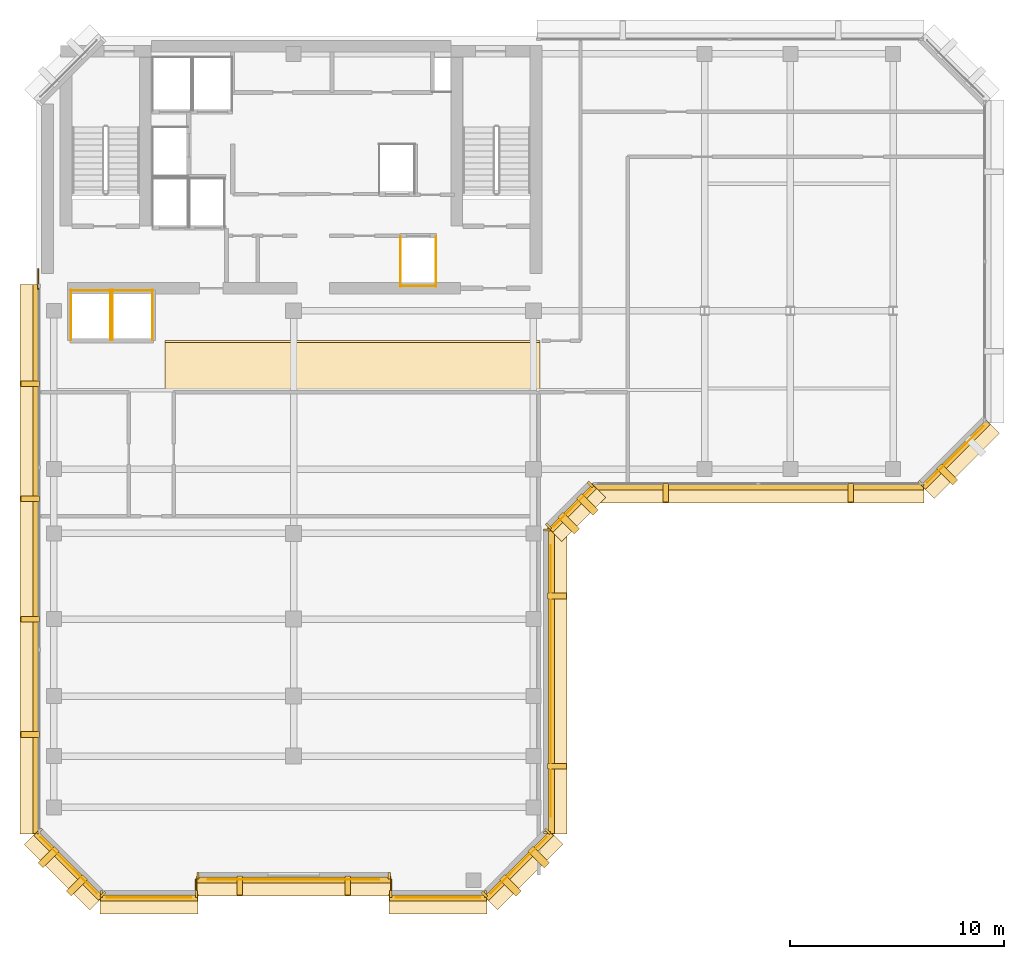
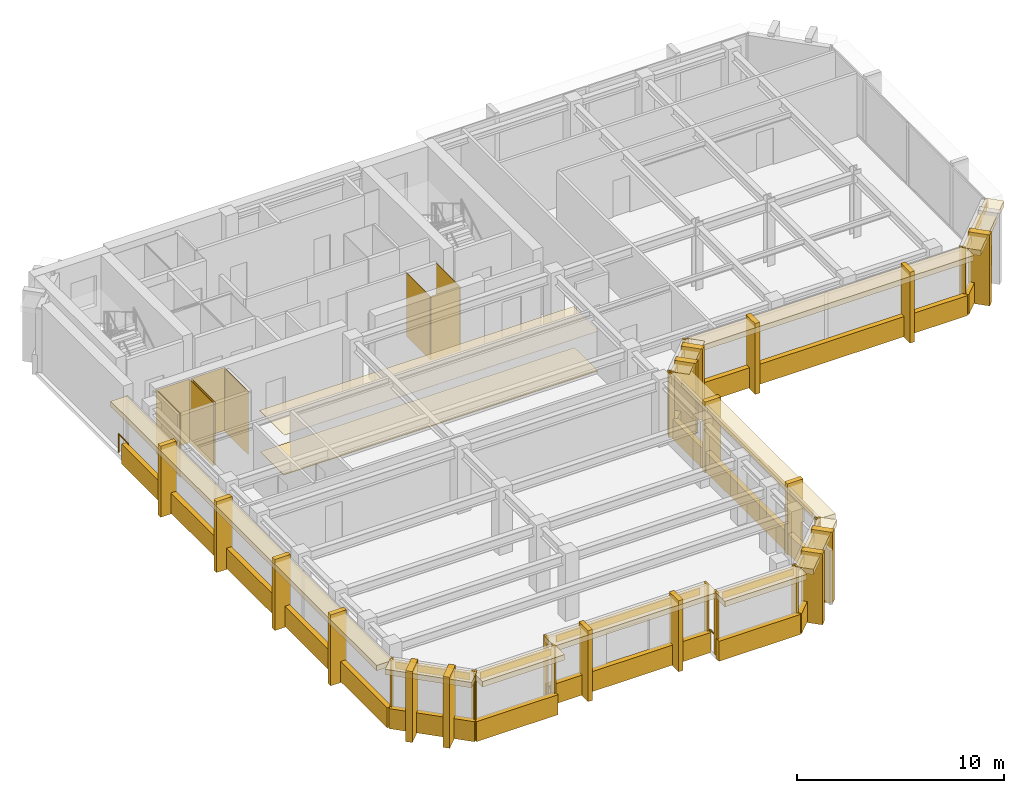
# One storey, part 9 of 12: 71 coverings, 3 railings.
"""IFC4 building model written with IfcOpenShell, lengths in metres."""

from ifc_helpers import new_model, si_unit, direction, frame, origin, origin_2d, place, context, subcontext, project, spatial, polyline, rectangle, circle, outline, extrude, material, layer, layer_set, type_object, element, save


model = new_model("IFC4")

# Units and contexts
model_context = context("Model", 3, precision=1e-05, world=origin(), true_north=direction((0.0, 1.0)))
body_context = subcontext(model_context, "Body", "Model", "MODEL_VIEW")
ifc_project = project(units=[si_unit("LENGTHUNIT", "METRE"), si_unit("AREAUNIT", "SQUARE_METRE"), si_unit("VOLUMEUNIT", "CUBIC_METRE"), si_unit("PLANEANGLEUNIT", "RADIAN"), si_unit("MASSUNIT", "GRAM", prefix="KILO")], contexts=[model_context])

# Site, building, storey
site_placement = place(None, origin())
site = spatial("IfcSite", under=ifc_project, at=site_placement, CompositionType="ELEMENT")
building_placement = place(site_placement, origin())
building = spatial("IfcBuilding", under=site, at=building_placement, Name="Kefirva Bronze Tower", CompositionType="ELEMENT")
storey_placement = place(building_placement, frame((0.0, 0.0, 339.570068359375)))
storey = spatial("IfcBuildingStorey", under=building, at=storey_placement, Name="L83", CompositionType="ELEMENT", Elevation=339.570068359375)

# Coverings
ifc_material_1 = material(Name="Acoustic mineral tile")
ifc_layer_1 = layer(ifc_material_1, 0.02490234375, Name="Acoustic mineral tile")
ifc_layer_set_1 = layer_set([ifc_layer_1], Name="Acoustic mineral tile")
covering_type_1 = type_object("IfcCoveringType", Name="Acoustic Mineral Suspended Ceiling 25mm", PredefinedType="CEILING", material=ifc_layer_set_1)
covering_1_placement = place(storey_placement, frame((0.0, 0.0, 2.39990234375)))
element("IfcCovering", 1, at=covering_1_placement, inside=storey, type_object=covering_type_1, Name="L83 Corridor Acoustic Ceiling", PredefinedType="CEILING", context=body_context, shape_type="SweptSolid", body=[
    extrude(outline(polyline([(6.0, 29.39990234375), (23.5, 29.39990234375), (23.5, 31.800048828125), (6.0, 31.800048828125), (6.0, 29.39990234375)])), origin(), (0.0, 0.0, 1.0), 0.025146484375),
])
ifc_material_2 = material(Name="Bronze anodised aluminium", Category="aluminium")
ifc_layer_2 = layer(ifc_material_2, 0.02001953125, Name="Bronze anodised aluminium")
ifc_layer_set_2 = layer_set([ifc_layer_2], Name="Bronze anodised aluminium")
covering_type_2 = type_object("IfcCoveringType", Name="Anodised Bronze Spandrel Cladding 20mm", PredefinedType="CLADDING", material=ifc_layer_set_2)
covering_2_placement = place(storey_placement, frame((5.25, 5.7900390625, 3.320068359375), z_axis=(0.0, 0.0, 1.0), x_axis=(1.0, 0.0, 0.0)))
element("IfcCovering", 2, at=covering_2_placement, inside=storey, type_object=covering_type_2, Name="L83 Bronze Spandrel Cladding 1", PredefinedType="CLADDING", context=body_context, shape_type="SweptSolid", body=[
    extrude(rectangle(XDim=3.950927734375, YDim=0.02001953125, at=origin_2d()), origin(), (0.0, 0.0, 1.0), 0.39990234375),
])
for number, where, z_axis, x_axis, name in (
    (3, (3.034912109375, 5.9599609375, 0.0), (0.0, 0.0, 1.0), (1.0, 0.0, 0.0), "L83 Facade Joint Closure Panel 1S"),
    (4, (7.465087890625, 5.9599609375, 0.0), (0.0, 0.0, 1.0), (1.0, 0.0, 0.0), "L83 Facade Joint Closure Panel 1E"),
):
    element("IfcCovering", number, at=place(storey_placement, frame(where, z_axis=z_axis, x_axis=x_axis)), inside=storey, type_object=covering_type_2, Name=name, PredefinedType="CLADDING", context=body_context, shape_type="SweptSolid", body=[
        extrude(rectangle(XDim=0.10009765625, YDim=0.320068359375, at=origin_2d()), origin(), (0.0, 0.0, 1.0), 3.739990234375),
    ])
covering_3_placement = place(storey_placement, frame((5.25, 5.760009765625, -0.16015625), z_axis=(0.0, 0.0, 1.0), x_axis=(1.0, 0.0, 0.0)))
element("IfcCovering", 5, at=covering_3_placement, inside=storey, type_object=covering_type_2, Name="L83 Streamline Horizontal Spandrel Band 0", PredefinedType="CLADDING", context=body_context, shape_type="SweptSolid", body=[
    extrude(rectangle(XDim=4.5400390625, YDim=0.280029296875, at=origin_2d()), origin(), (0.0, 0.0, 1.0), 1.179931640625),
])
covering_4_placement = place(storey_placement, frame((12.0, 6.639892578125, 3.320068359375), z_axis=(0.0, 0.0, 1.0), x_axis=(1.0, 0.0, 0.0)))
element("IfcCovering", 6, at=covering_4_placement, inside=storey, type_object=covering_type_2, Name="L83 Bronze Spandrel Cladding 2", PredefinedType="CLADDING", context=body_context, shape_type="SweptSolid", body=[
    extrude(rectangle(XDim=8.0009765625, YDim=0.02001953125, at=origin_2d()), origin(), (0.0, 0.0, 1.0), 0.39990234375),
])
for number, where, z_axis, x_axis, name in (
    (7, (7.534912109375, 6.81005859375, 0.0), (0.0, 0.0, 1.0), (1.0, 0.0, 0.0), "L83 Facade Joint Closure Panel 2S"),
    (8, (16.465087890625, 6.81005859375, 0.0), (0.0, 0.0, 1.0), (1.0, 0.0, 0.0), "L83 Facade Joint Closure Panel 2E"),
):
    element("IfcCovering", number, at=place(storey_placement, frame(where, z_axis=z_axis, x_axis=x_axis)), inside=storey, type_object=covering_type_2, Name=name, PredefinedType="CLADDING", context=body_context, shape_type="SweptSolid", body=[
        extrude(rectangle(XDim=0.10009765625, YDim=0.320068359375, at=origin_2d()), origin(), (0.0, 0.0, 1.0), 3.739990234375),
    ])
covering_5_placement = place(storey_placement, frame((12.0, 6.610107421875, -0.16015625), z_axis=(0.0, 0.0, 1.0), x_axis=(1.0, 0.0, 0.0)))
element("IfcCovering", 9, at=covering_5_placement, inside=storey, type_object=covering_type_2, Name="L83 Streamline Horizontal Spandrel Band 2", PredefinedType="CLADDING", context=body_context, shape_type="SweptSolid", body=[
    extrude(rectangle(XDim=9.0400390625, YDim=0.280029296875, at=origin_2d()), origin(), (0.0, 0.0, 1.0), 1.179931640625),
])
covering_6_placement = place(storey_placement, frame((18.75, 5.7900390625, 3.320068359375), z_axis=(0.0, 0.0, 1.0), x_axis=(1.0, 0.0, 0.0)))
element("IfcCovering", 10, at=covering_6_placement, inside=storey, type_object=covering_type_2, Name="L83 Bronze Spandrel Cladding 3", PredefinedType="CLADDING", context=body_context, shape_type="SweptSolid", body=[
    extrude(rectangle(XDim=3.950927734375, YDim=0.02001953125, at=origin_2d()), origin(), (0.0, 0.0, 1.0), 0.39990234375),
])
for number, where, z_axis, x_axis, name in (
    (11, (16.534912109375, 5.9599609375, 0.0), (0.0, 0.0, 1.0), (1.0, 0.0, 0.0), "L83 Facade Joint Closure Panel 3S"),
    (12, (20.965087890625, 5.9599609375, 0.0), (0.0, 0.0, 1.0), (1.0, 0.0, 0.0), "L83 Facade Joint Closure Panel 3E"),
):
    element("IfcCovering", number, at=place(storey_placement, frame(where, z_axis=z_axis, x_axis=x_axis)), inside=storey, type_object=covering_type_2, Name=name, PredefinedType="CLADDING", context=body_context, shape_type="SweptSolid", body=[
        extrude(rectangle(XDim=0.10009765625, YDim=0.320068359375, at=origin_2d()), origin(), (0.0, 0.0, 1.0), 3.739990234375),
    ])
covering_7_placement = place(storey_placement, frame((18.75, 5.760009765625, -0.16015625), z_axis=(0.0, 0.0, 1.0), x_axis=(1.0, 0.0, 0.0)))
element("IfcCovering", 13, at=covering_7_placement, inside=storey, type_object=covering_type_2, Name="L83 Streamline Horizontal Spandrel Band 4", PredefinedType="CLADDING", context=body_context, shape_type="SweptSolid", body=[
    extrude(rectangle(XDim=4.5400390625, YDim=0.280029296875, at=origin_2d()), origin(), (0.0, 0.0, 1.0), 1.179931640625),
])
covering_8_placement = place(storey_placement, frame((22.507080078125, 7.29296875, 3.320068359375), z_axis=(0.0, 0.0, 1.0), x_axis=(0.707106781187, 0.707106781187, 0.0)))
element("IfcCovering", 14, at=covering_8_placement, inside=storey, type_object=covering_type_2, Name="L83 Bronze Spandrel Cladding 4", PredefinedType="CLADDING", context=body_context, shape_type="SweptSolid", body=[
    extrude(rectangle(XDim=3.719482421875, YDim=0.02001953125, at=origin_2d()), origin(), (0.0, 0.0, 1.0), 0.39990234375),
])
for number, where, z_axis, x_axis, name in (
    (15, (20.91162109375, 5.93798828125, 0.0), (0.0, 0.0, 1.0), (0.707106781187, 0.707106781187, 0.0), "L83 Facade Joint Closure Panel 4S"),
    (16, (23.862060546875, 8.88818359375, 0.0), (0.0, 0.0, 1.0), (0.707106781187, 0.707106781187, 0.0), "L83 Facade Joint Closure Panel 4E"),
):
    element("IfcCovering", number, at=place(storey_placement, frame(where, z_axis=z_axis, x_axis=x_axis)), inside=storey, type_object=covering_type_2, Name=name, PredefinedType="CLADDING", context=body_context, shape_type="SweptSolid", body=[
        extrude(rectangle(XDim=0.10009765625, YDim=0.320068359375, at=origin_2d()), origin(), (0.0, 0.0, 1.0), 3.739990234375),
    ])
covering_9_placement = place(storey_placement, frame((22.5283203125, 7.271728515625, -0.16015625), z_axis=(0.0, 0.0, 1.0), x_axis=(0.707106781187, 0.707106781187, 0.0)))
element("IfcCovering", 17, at=covering_9_placement, inside=storey, type_object=covering_type_2, Name="L83 Streamline Horizontal Spandrel Band 5", PredefinedType="CLADDING", context=body_context, shape_type="SweptSolid", body=[
    extrude(rectangle(XDim=4.28271484375, YDim=0.280029296875, at=origin_2d()), origin(), (0.0, 0.0, 1.0), 1.179931640625),
])
covering_10_placement = place(storey_placement, frame((24.010009765625, 15.89990234375, 3.320068359375), z_axis=(0.0, 0.0, 1.0), x_axis=(0.0, 1.0, 0.0)))
element("IfcCovering", 18, at=covering_10_placement, inside=storey, type_object=covering_type_2, Name="L83 Bronze Spandrel Cladding 5", PredefinedType="CLADDING", context=body_context, shape_type="SweptSolid", body=[
    extrude(rectangle(XDim=12.680908203125, YDim=0.02001953125, at=origin_2d()), origin(), (0.0, 0.0, 1.0), 0.39990234375),
])
for number, where, z_axis, x_axis, name in (
    (19, (23.840087890625, 8.8349609375, 0.0), (0.0, 0.0, 1.0), (0.0, 1.0, 0.0), "L83 Facade Joint Closure Panel 5S"),
    (20, (23.840087890625, 22.965087890625, 0.0), (0.0, 0.0, 1.0), (0.0, 1.0, 0.0), "L83 Facade Joint Closure Panel 5E"),
):
    element("IfcCovering", number, at=place(storey_placement, frame(where, z_axis=z_axis, x_axis=x_axis)), inside=storey, type_object=covering_type_2, Name=name, PredefinedType="CLADDING", context=body_context, shape_type="SweptSolid", body=[
        extrude(rectangle(XDim=0.10009765625, YDim=0.320068359375, at=origin_2d()), origin(), (0.0, 0.0, 1.0), 3.739990234375),
    ])
covering_11_placement = place(storey_placement, frame((24.0400390625, 15.89990234375, -0.16015625), z_axis=(0.0, 0.0, 1.0), x_axis=(0.0, 1.0, 0.0)))
element("IfcCovering", 21, at=covering_11_placement, inside=storey, type_object=covering_type_2, Name="L83 Streamline Horizontal Spandrel Band 6", PredefinedType="CLADDING", context=body_context, shape_type="SweptSolid", body=[
    extrude(rectangle(XDim=14.239990234375, YDim=0.280029296875, at=origin_2d()), origin(), (0.0, 0.0, 1.0), 1.179931640625),
])
covering_12_placement = place(storey_placement, frame((25.007080078125, 23.992919921875, 3.320068359375), z_axis=(0.0, 0.0, 1.0), x_axis=(0.707106781187, 0.707106781187, 0.0)))
element("IfcCovering", 22, at=covering_12_placement, inside=storey, type_object=covering_type_2, Name="L83 Bronze Spandrel Cladding 6", PredefinedType="CLADDING", context=body_context, shape_type="SweptSolid", body=[
    extrude(rectangle(XDim=2.446533203125, YDim=0.02001953125, at=origin_2d()), origin(), (0.0, 0.0, 1.0), 0.39990234375),
])
for number, where, z_axis, x_axis, name in (
    (23, (23.91162109375, 23.137939453125, 0.0), (0.0, 0.0, 1.0), (0.707106781187, 0.707106781187, 0.0), "L83 Facade Joint Closure Panel 6S"),
    (24, (25.862060546875, 25.08837890625, 0.0), (0.0, 0.0, 1.0), (0.707106781187, 0.707106781187, 0.0), "L83 Facade Joint Closure Panel 6E"),
):
    element("IfcCovering", number, at=place(storey_placement, frame(where, z_axis=z_axis, x_axis=x_axis)), inside=storey, type_object=covering_type_2, Name=name, PredefinedType="CLADDING", context=body_context, shape_type="SweptSolid", body=[
        extrude(rectangle(XDim=0.10009765625, YDim=0.320068359375, at=origin_2d()), origin(), (0.0, 0.0, 1.0), 3.739990234375),
    ])
covering_13_placement = place(storey_placement, frame((25.0283203125, 23.9716796875, -0.16015625), z_axis=(0.0, 0.0, 1.0), x_axis=(0.707106781187, 0.707106781187, 0.0)))
element("IfcCovering", 25, at=covering_13_placement, inside=storey, type_object=covering_type_2, Name="L83 Streamline Horizontal Spandrel Band 7", PredefinedType="CLADDING", context=body_context, shape_type="SweptSolid", body=[
    extrude(rectangle(XDim=2.868408203125, YDim=0.280029296875, at=origin_2d()), origin(), (0.0, 0.0, 1.0), 1.179931640625),
])
covering_14_placement = place(storey_placement, frame((33.699951171875, 24.9599609375, -0.16015625), z_axis=(0.0, 0.0, 1.0), x_axis=(1.0, 0.0, 0.0)))
element("IfcCovering", 26, at=covering_14_placement, inside=storey, type_object=covering_type_2, Name="L83 Streamline Horizontal Spandrel Band 8", PredefinedType="CLADDING", context=body_context, shape_type="SweptSolid", body=[
    extrude(rectangle(XDim=15.43994140625, YDim=0.280029296875, at=origin_2d()), origin(), (0.0, 0.0, 1.0), 1.179931640625),
])
covering_15_placement = place(storey_placement, frame((42.906982421875, 26.492919921875, 3.320068359375), z_axis=(0.0, 0.0, 1.0), x_axis=(0.707106781187, 0.707106781187, 0.0)))
element("IfcCovering", 27, at=covering_15_placement, inside=storey, type_object=covering_type_2, Name="L83 Bronze Spandrel Cladding 7", PredefinedType="CLADDING", context=body_context, shape_type="SweptSolid", body=[
    extrude(rectangle(XDim=3.719482421875, YDim=0.02001953125, at=origin_2d()), origin(), (0.0, 0.0, 1.0), 0.39990234375),
])
covering_16_placement = place(storey_placement, frame((41.311767578125, 25.137939453125, 0.0), z_axis=(0.0, 0.0, 1.0), x_axis=(0.707106781187, 0.707106781187, 0.0)))
element("IfcCovering", 28, at=covering_16_placement, inside=storey, type_object=covering_type_2, Name="L83 Facade Joint Closure Panel 7S", PredefinedType="CLADDING", context=body_context, shape_type="SweptSolid", body=[
    extrude(rectangle(XDim=0.10009765625, YDim=0.320068359375, at=origin_2d()), origin(), (0.0, 0.0, 1.0), 3.739990234375),
])
covering_17_placement = place(storey_placement, frame((42.92822265625, 26.4716796875, -0.16015625), z_axis=(0.0, 0.0, 1.0), x_axis=(0.707106781187, 0.707106781187, 0.0)))
element("IfcCovering", 29, at=covering_17_placement, inside=storey, type_object=covering_type_2, Name="L83 Streamline Horizontal Spandrel Band 9", PredefinedType="CLADDING", context=body_context, shape_type="SweptSolid", body=[
    extrude(rectangle(XDim=4.28271484375, YDim=0.280029296875, at=origin_2d()), origin(), (0.0, 0.0, 1.0), 1.179931640625),
])
covering_18_placement = place(storey_placement, frame((-0.0400390625, 21.597412109375, -0.16015625), z_axis=(0.0, 0.0, 1.0), x_axis=(0.0, -1.0, 0.0)))
element("IfcCovering", 30, at=covering_18_placement, inside=storey, type_object=covering_type_2, Name="L83 Streamline Horizontal Spandrel Band 14", PredefinedType="CLADDING", context=body_context, shape_type="SweptSolid", body=[
    extrude(rectangle(XDim=25.635009765625, YDim=0.280029296875, at=origin_2d()), origin(), (0.0, 0.0, 1.0), 1.179931640625),
])
covering_19_placement = place(storey_placement, frame((1.492919921875, 7.29296875, 3.320068359375), z_axis=(0.0, 0.0, 1.0), x_axis=(0.707106781187, -0.707106781187, 0.0)))
element("IfcCovering", 31, at=covering_19_placement, inside=storey, type_object=covering_type_2, Name="L83 Bronze Spandrel Cladding 10", PredefinedType="CLADDING", context=body_context, shape_type="SweptSolid", body=[
    extrude(rectangle(XDim=3.719482421875, YDim=0.02001953125, at=origin_2d()), origin(), (0.0, 0.0, 1.0), 0.39990234375),
])
for number, where, z_axis, x_axis, name in (
    (32, (0.137939453125, 8.88818359375, 0.0), (0.0, 0.0, 1.0), (0.707106781187, -0.707106781187, 0.0), "L83 Facade Joint Closure Panel 10S"),
    (33, (3.08837890625, 5.93798828125, 0.0), (0.0, 0.0, 1.0), (0.707106781187, -0.707106781187, 0.0), "L83 Facade Joint Closure Panel 10E"),
):
    element("IfcCovering", number, at=place(storey_placement, frame(where, z_axis=z_axis, x_axis=x_axis)), inside=storey, type_object=covering_type_2, Name=name, PredefinedType="CLADDING", context=body_context, shape_type="SweptSolid", body=[
        extrude(rectangle(XDim=0.10009765625, YDim=0.320068359375, at=origin_2d()), origin(), (0.0, 0.0, 1.0), 3.739990234375),
    ])
covering_20_placement = place(storey_placement, frame((1.4716796875, 7.271728515625, -0.16015625), z_axis=(0.0, 0.0, 1.0), x_axis=(0.707106781187, -0.707106781187, 0.0)))
element("IfcCovering", 34, at=covering_20_placement, inside=storey, type_object=covering_type_2, Name="L83 Streamline Horizontal Spandrel Band 15", PredefinedType="CLADDING", context=body_context, shape_type="SweptSolid", body=[
    extrude(rectangle(XDim=4.28271484375, YDim=0.280029296875, at=origin_2d()), origin(), (0.0, 0.0, 1.0), 1.179931640625),
])
covering_21_placement = place(storey_placement, origin())
element("IfcCovering", 35, at=covering_21_placement, inside=storey, type_object=covering_type_2, Name="L83 Lift OB1 Hoistway Liner N", PredefinedType="CLADDING", context=body_context, shape_type="SweptSolid", body=[
    extrude(outline(polyline([(1.580078125, 34.139892578125), (3.469970703125, 34.139892578125), (3.469970703125, 34.159912109375), (1.580078125, 34.159912109375), (1.580078125, 34.139892578125)])), origin(), (0.0, 0.0, 1.0), 3.739990234375),
])
covering_22_placement = place(storey_placement, origin())
element("IfcCovering", 36, at=covering_22_placement, inside=storey, type_object=covering_type_2, Name="L83 Lift OB1 Hoistway Liner W", PredefinedType="CLADDING", context=body_context, shape_type="SweptSolid", body=[
    extrude(outline(polyline([(1.590087890625, 31.830078125), (1.610107421875, 31.830078125), (1.610107421875, 34.169921875), (1.590087890625, 34.169921875), (1.590087890625, 31.830078125)])), origin(), (0.0, 0.0, 1.0), 3.739990234375),
])
covering_23_placement = place(storey_placement, origin())
element("IfcCovering", 37, at=covering_23_placement, inside=storey, type_object=covering_type_2, Name="L83 Lift OB1 Hoistway Liner E", PredefinedType="CLADDING", context=body_context, shape_type="SweptSolid", body=[
    extrude(outline(polyline([(3.43994140625, 31.830078125), (3.4599609375, 31.830078125), (3.4599609375, 34.169921875), (3.43994140625, 34.169921875), (3.43994140625, 31.830078125)])), origin(), (0.0, 0.0, 1.0), 3.739990234375),
])
covering_24_placement = place(storey_placement, origin())
element("IfcCovering", 38, at=covering_24_placement, inside=storey, type_object=covering_type_2, Name="L83 Lift OB2 Hoistway Liner N", PredefinedType="CLADDING", context=body_context, shape_type="SweptSolid", body=[
    extrude(outline(polyline([(3.530029296875, 34.139892578125), (5.419921875, 34.139892578125), (5.419921875, 34.159912109375), (3.530029296875, 34.159912109375), (3.530029296875, 34.139892578125)])), origin(), (0.0, 0.0, 1.0), 3.739990234375),
])
covering_25_placement = place(storey_placement, origin())
element("IfcCovering", 39, at=covering_25_placement, inside=storey, type_object=covering_type_2, Name="L83 Lift OB2 Hoistway Liner W", PredefinedType="CLADDING", context=body_context, shape_type="SweptSolid", body=[
    extrude(outline(polyline([(3.5400390625, 31.830078125), (3.56005859375, 31.830078125), (3.56005859375, 34.169921875), (3.5400390625, 34.169921875), (3.5400390625, 31.830078125)])), origin(), (0.0, 0.0, 1.0), 3.739990234375),
])
covering_26_placement = place(storey_placement, origin())
element("IfcCovering", 40, at=covering_26_placement, inside=storey, type_object=covering_type_2, Name="L83 Lift OB2 Hoistway Liner E", PredefinedType="CLADDING", context=body_context, shape_type="SweptSolid", body=[
    extrude(outline(polyline([(5.389892578125, 31.830078125), (5.409912109375, 31.830078125), (5.409912109375, 34.169921875), (5.389892578125, 34.169921875), (5.389892578125, 31.830078125)])), origin(), (0.0, 0.0, 1.0), 3.739990234375),
])
covering_27_placement = place(storey_placement, origin())
element("IfcCovering", 41, at=covering_27_placement, inside=storey, type_object=covering_type_2, Name="L83 Lift HP1 Hoistway Liner S", PredefinedType="CLADDING", context=body_context, shape_type="SweptSolid", body=[
    extrude(outline(polyline([(16.97998046875, 34.340087890625), (18.669921875, 34.340087890625), (18.669921875, 34.360107421875), (16.97998046875, 34.360107421875), (16.97998046875, 34.340087890625)])), origin(), (0.0, 0.0, 1.0), 3.739990234375),
])
covering_28_placement = place(storey_placement, origin())
element("IfcCovering", 42, at=covering_28_placement, inside=storey, type_object=covering_type_2, Name="L83 Lift HP1 Hoistway Liner W", PredefinedType="CLADDING", context=body_context, shape_type="SweptSolid", body=[
    extrude(outline(polyline([(16.989990234375, 34.330078125), (17.010009765625, 34.330078125), (17.010009765625, 36.669921875), (16.989990234375, 36.669921875), (16.989990234375, 34.330078125)])), origin(), (0.0, 0.0, 1.0), 3.739990234375),
])
covering_29_placement = place(storey_placement, origin())
element("IfcCovering", 43, at=covering_29_placement, inside=storey, type_object=covering_type_2, Name="L83 Lift HP1 Hoistway Liner E", PredefinedType="CLADDING", context=body_context, shape_type="SweptSolid", body=[
    extrude(outline(polyline([(18.639892578125, 34.330078125), (18.659912109375, 34.330078125), (18.659912109375, 36.669921875), (18.639892578125, 36.669921875), (18.639892578125, 34.330078125)])), origin(), (0.0, 0.0, 1.0), 3.739990234375),
])

# Railings
ifc_material_3 = material(Name="Stainless steel 316", Category="steel")
railing_type = type_object("IfcRailingType", Name="Interior Stair Guardrail 1100mm", PredefinedType="GUARDRAIL", material=ifc_material_3)
railing_placement = place(storey_placement, frame((0.080078125, 34.199951171875, 0.0)))
element("IfcRailing", 44, at=railing_placement, inside=storey, type_object=railing_type, Name="L83 West Core Junction Guardrail", PredefinedType="GUARDRAIL", context=body_context, shape_type="SweptSolid", body=[
    extrude(circle(Radius=0.02392578125, at=origin_2d()), frame((0.0, 0.0, 1.076171875), z_axis=(0.0, 1.0, 0.0), x_axis=(-1.0, 0.0, 0.0)), (0.0, 0.0, 1.0), 0.949951171875),
    extrude(circle(Radius=0.02099609375, at=origin_2d()), origin(), (0.0, 0.0, 1.0), 1.052001953125),
    extrude(circle(Radius=0.02099609375, at=origin_2d()), frame((0.0, 0.949951171875, 0.0)), (0.0, 0.0, 1.0), 1.052001953125),
])
for number, where, name in (
    (45, (16.56005859375, 6.14990234375, 0.0), "L83 Setback Corner Guardrail SB1"),
    (46, (7.43994140625, 6.14990234375, 0.0), "L83 Setback Corner Guardrail SB2"),
):
    element("IfcRailing", number, at=place(storey_placement, frame(where)), inside=storey, type_object=railing_type, Name=name, PredefinedType="GUARDRAIL", context=body_context, shape_type="SweptSolid", body=[
        extrude(circle(Radius=0.02392578125, at=origin_2d()), frame((0.0, 0.0, 1.076171875), z_axis=(0.0, 1.0, 0.0), x_axis=(-1.0, 0.0, 0.0)), (0.0, 0.0, 1.0), 0.489990234375),
        extrude(circle(Radius=0.02099609375, at=origin_2d()), origin(), (0.0, 0.0, 1.0), 1.052001953125),
        extrude(circle(Radius=0.02099609375, at=origin_2d()), frame((0.0, 0.489990234375, 0.0)), (0.0, 0.0, 1.0), 1.052001953125),
    ])

# Coverings
ifc_material_4 = material(Name="Calcium sulphate access tile")
ifc_layer_3 = layer(ifc_material_4, 0.044921875, Name="Calcium sulphate access tile")
ifc_layer_set_3 = layer_set([ifc_layer_3], Name="Calcium sulphate access tile")
covering_type_3 = type_object("IfcCoveringType", Name="Raised Access Office Flooring 45mm", PredefinedType="FLOORING", material=ifc_layer_set_3)
covering_30_placement = place(storey_placement, origin())
element("IfcCovering", 47, at=covering_30_placement, inside=storey, type_object=covering_type_3, Name="L83 Architectural Finish Flooring", PredefinedType="FLOORING", context=body_context, shape_type="SweptSolid", body=[
    extrude(outline(polyline([(6.0, 29.47998046875), (23.5, 29.47998046875), (23.5, 31.719970703125), (6.0, 31.719970703125), (6.0, 29.47998046875)])), origin(), (0.0, 0.0, 1.0), 0.044921875),
])
ifc_layer_4 = layer(ifc_material_2, 0.179931640625, Name="Bronze anodised aluminium")
ifc_layer_set_4 = layer_set([ifc_layer_4], Name="Bronze anodised aluminium")
covering_type_4 = type_object("IfcCoveringType", Name="Streamline Bronze Sunshade Eyebrow Cladding 180mm", PredefinedType="CLADDING", material=ifc_layer_set_4)
covering_31_placement = place(storey_placement, frame((5.25, 5.489990234375, 3.419921875), z_axis=(0.0, 0.0, 1.0), x_axis=(1.0, 0.0, 0.0)))
element("IfcCovering", 48, at=covering_31_placement, inside=storey, type_object=covering_type_4, Name="L83 Streamline Bronze Sunshade Eyebrow 0", PredefinedType="CLADDING", context=body_context, shape_type="SweptSolid", body=[
    extrude(rectangle(XDim=4.580078125, YDim=0.93994140625, at=origin_2d()), origin(), (0.0, 0.0, 1.0), 0.320068359375),
])
covering_32_placement = place(storey_placement, frame((12.0, 6.340087890625, 3.419921875), z_axis=(0.0, 0.0, 1.0), x_axis=(1.0, 0.0, 0.0)))
element("IfcCovering", 49, at=covering_32_placement, inside=storey, type_object=covering_type_4, Name="L83 Streamline Bronze Sunshade Eyebrow 2", PredefinedType="CLADDING", context=body_context, shape_type="SweptSolid", body=[
    extrude(rectangle(XDim=9.080078125, YDim=0.93994140625, at=origin_2d()), origin(), (0.0, 0.0, 1.0), 0.320068359375),
])
covering_33_placement = place(storey_placement, frame((18.75, 5.489990234375, 3.419921875), z_axis=(0.0, 0.0, 1.0), x_axis=(1.0, 0.0, 0.0)))
element("IfcCovering", 50, at=covering_33_placement, inside=storey, type_object=covering_type_4, Name="L83 Streamline Bronze Sunshade Eyebrow 4", PredefinedType="CLADDING", context=body_context, shape_type="SweptSolid", body=[
    extrude(rectangle(XDim=4.580078125, YDim=0.93994140625, at=origin_2d()), origin(), (0.0, 0.0, 1.0), 0.320068359375),
])
covering_34_placement = place(storey_placement, frame((22.71923828125, 7.080810546875, 3.419921875), z_axis=(0.0, 0.0, 1.0), x_axis=(0.707106781187, 0.707106781187, 0.0)))
element("IfcCovering", 51, at=covering_34_placement, inside=storey, type_object=covering_type_4, Name="L83 Streamline Bronze Sunshade Eyebrow 5", PredefinedType="CLADDING", context=body_context, shape_type="SweptSolid", body=[
    extrude(rectangle(XDim=4.322509765625, YDim=0.93994140625, at=origin_2d()), origin(), (0.0, 0.0, 1.0), 0.320068359375),
])
covering_35_placement = place(storey_placement, frame((24.31005859375, 15.89990234375, 3.419921875), z_axis=(0.0, 0.0, 1.0), x_axis=(0.0, 1.0, 0.0)))
element("IfcCovering", 52, at=covering_35_placement, inside=storey, type_object=covering_type_4, Name="L83 Streamline Bronze Sunshade Eyebrow 6", PredefinedType="CLADDING", context=body_context, shape_type="SweptSolid", body=[
    extrude(rectangle(XDim=14.280029296875, YDim=0.93994140625, at=origin_2d()), origin(), (0.0, 0.0, 1.0), 0.320068359375),
])
covering_36_placement = place(storey_placement, frame((25.21923828125, 23.78076171875, 3.419921875), z_axis=(0.0, 0.0, 1.0), x_axis=(0.707106781187, 0.707106781187, 0.0)))
element("IfcCovering", 53, at=covering_36_placement, inside=storey, type_object=covering_type_4, Name="L83 Streamline Bronze Sunshade Eyebrow 7", PredefinedType="CLADDING", context=body_context, shape_type="SweptSolid", body=[
    extrude(rectangle(XDim=2.908447265625, YDim=0.93994140625, at=origin_2d()), origin(), (0.0, 0.0, 1.0), 0.320068359375),
])
covering_37_placement = place(storey_placement, frame((33.699951171875, 24.68994140625, 3.419921875), z_axis=(0.0, 0.0, 1.0), x_axis=(1.0, 0.0, 0.0)))
element("IfcCovering", 54, at=covering_37_placement, inside=storey, type_object=covering_type_4, Name="L83 Streamline Bronze Sunshade Eyebrow 8", PredefinedType="CLADDING", context=body_context, shape_type="SweptSolid", body=[
    extrude(rectangle(XDim=15.47998046875, YDim=0.93994140625, at=origin_2d()), origin(), (0.0, 0.0, 1.0), 0.320068359375),
])
covering_38_placement = place(storey_placement, frame((43.119140625, 26.28076171875, 3.419921875), z_axis=(0.0, 0.0, 1.0), x_axis=(0.707106781187, 0.707106781187, 0.0)))
element("IfcCovering", 55, at=covering_38_placement, inside=storey, type_object=covering_type_4, Name="L83 Streamline Bronze Sunshade Eyebrow 9", PredefinedType="CLADDING", context=body_context, shape_type="SweptSolid", body=[
    extrude(rectangle(XDim=4.322509765625, YDim=0.93994140625, at=origin_2d()), origin(), (0.0, 0.0, 1.0), 0.320068359375),
])
covering_39_placement = place(storey_placement, frame((-0.31005859375, 21.597412109375, 3.419921875), z_axis=(0.0, 0.0, 1.0), x_axis=(0.0, -1.0, 0.0)))
element("IfcCovering", 56, at=covering_39_placement, inside=storey, type_object=covering_type_4, Name="L83 Streamline Bronze Sunshade Eyebrow 14", PredefinedType="CLADDING", context=body_context, shape_type="SweptSolid", body=[
    extrude(rectangle(XDim=25.675048828125, YDim=0.93994140625, at=origin_2d()), origin(), (0.0, 0.0, 1.0), 0.320068359375),
])
covering_40_placement = place(storey_placement, frame((1.28076171875, 7.080810546875, 3.419921875), z_axis=(0.0, 0.0, 1.0), x_axis=(0.707106781187, -0.707106781187, 0.0)))
element("IfcCovering", 57, at=covering_40_placement, inside=storey, type_object=covering_type_4, Name="L83 Streamline Bronze Sunshade Eyebrow 15", PredefinedType="CLADDING", context=body_context, shape_type="SweptSolid", body=[
    extrude(rectangle(XDim=4.322509765625, YDim=0.93994140625, at=origin_2d()), origin(), (0.0, 0.0, 1.0), 0.320068359375),
])
ifc_layer_5 = layer(ifc_material_2, 0.260009765625, Name="Bronze anodised aluminium")
ifc_layer_set_5 = layer_set([ifc_layer_5], Name="Bronze anodised aluminium")
covering_type_5 = type_object("IfcCoveringType", Name="Unbroken Bronze Buttress Fin Cladding 260mm", PredefinedType="CLADDING", material=ifc_layer_set_5)
for number, where, z_axis, x_axis, name in (
    (58, (9.47998046875, 6.35009765625, -0.22021484375), (0.0, 0.0, 1.0), (1.0, 0.0, 0.0), "L83 Unbroken Vertical Bronze Rib Fin 1"),
    (59, (14.52001953125, 6.35009765625, -0.22021484375), (0.0, 0.0, 1.0), (1.0, 0.0, 0.0), "L83 Unbroken Vertical Bronze Rib Fin 2"),
):
    element("IfcCovering", number, at=place(storey_placement, frame(where, z_axis=z_axis, x_axis=x_axis)), inside=storey, type_object=covering_type_5, Name=name, PredefinedType="CLADDING", context=body_context, shape_type="SweptSolid", body=[
        extrude(rectangle(XDim=0.260009765625, YDim=0.8798828125, at=origin_2d()), origin(), (0.0, 0.0, 1.0), 4.179931640625),
    ])
for number, where, z_axis, x_axis, name in (
    (60, (22.122802734375, 6.357177734375, -0.22021484375), (0.0, 0.0, 1.0), (0.707106781187, 0.707106781187, 0.0), "L83 Chamfered Corner Buttress Fin Cladding 3"),
    (61, (23.44287109375, 7.67724609375, -0.22021484375), (0.0, 0.0, 1.0), (0.707106781187, 0.707106781187, 0.0), "L83 Chamfered Corner Buttress Fin Cladding 4"),
):
    element("IfcCovering", number, at=place(storey_placement, frame(where, z_axis=z_axis, x_axis=x_axis)), inside=storey, type_object=covering_type_5, Name=name, PredefinedType="CLADDING", context=body_context, shape_type="SweptSolid", body=[
        extrude(rectangle(XDim=0.340087890625, YDim=1.080078125, at=origin_2d()), origin(), (0.0, 0.0, 1.0), 4.179931640625),
    ])
for number, where, z_axis, x_axis, name in (
    (62, (24.300048828125, 11.924072265625, -0.22021484375), (0.0, 0.0, 1.0), (0.0, 1.0, 0.0), "L83 Unbroken Vertical Bronze Rib Fin 5"),
    (63, (24.300048828125, 19.8759765625, -0.22021484375), (0.0, 0.0, 1.0), (0.0, 1.0, 0.0), "L83 Unbroken Vertical Bronze Rib Fin 6"),
):
    element("IfcCovering", number, at=place(storey_placement, frame(where, z_axis=z_axis, x_axis=x_axis)), inside=storey, type_object=covering_type_5, Name=name, PredefinedType="CLADDING", context=body_context, shape_type="SweptSolid", body=[
        extrude(rectangle(XDim=0.260009765625, YDim=0.8798828125, at=origin_2d()), origin(), (0.0, 0.0, 1.0), 4.179931640625),
    ])
for number, where, z_axis, x_axis, name in (
    (64, (24.8427734375, 23.277099609375, -0.22021484375), (0.0, 0.0, 1.0), (0.707106781187, 0.707106781187, 0.0), "L83 Chamfered Corner Buttress Fin Cladding 7"),
    (65, (25.722900390625, 24.1572265625, -0.22021484375), (0.0, 0.0, 1.0), (0.707106781187, 0.707106781187, 0.0), "L83 Chamfered Corner Buttress Fin Cladding 8"),
):
    element("IfcCovering", number, at=place(storey_placement, frame(where, z_axis=z_axis, x_axis=x_axis)), inside=storey, type_object=covering_type_5, Name=name, PredefinedType="CLADDING", context=body_context, shape_type="SweptSolid", body=[
        extrude(rectangle(XDim=0.340087890625, YDim=1.080078125, at=origin_2d()), origin(), (0.0, 0.0, 1.0), 4.179931640625),
    ])
for number, where, z_axis, x_axis, name in (
    (66, (29.387939453125, 24.699951171875, -0.22021484375), (0.0, 0.0, 1.0), (1.0, 0.0, 0.0), "L83 Unbroken Vertical Bronze Rib Fin 9"),
    (67, (38.011962890625, 24.699951171875, -0.22021484375), (0.0, 0.0, 1.0), (1.0, 0.0, 0.0), "L83 Unbroken Vertical Bronze Rib Fin 10"),
):
    element("IfcCovering", number, at=place(storey_placement, frame(where, z_axis=z_axis, x_axis=x_axis)), inside=storey, type_object=covering_type_5, Name=name, PredefinedType="CLADDING", context=body_context, shape_type="SweptSolid", body=[
        extrude(rectangle(XDim=0.260009765625, YDim=0.8798828125, at=origin_2d()), origin(), (0.0, 0.0, 1.0), 4.179931640625),
    ])
covering_41_placement = place(storey_placement, frame((42.522705078125, 25.55712890625, -0.22021484375), z_axis=(0.0, 0.0, 1.0), x_axis=(0.707106781187, 0.707106781187, 0.0)))
element("IfcCovering", 68, at=covering_41_placement, inside=storey, type_object=covering_type_5, Name="L83 Chamfered Corner Buttress Fin Cladding 11", PredefinedType="CLADDING", context=body_context, shape_type="SweptSolid", body=[
    extrude(rectangle(XDim=0.340087890625, YDim=1.080078125, at=origin_2d()), origin(), (0.0, 0.0, 1.0), 4.179931640625),
])
for number, where, z_axis, x_axis, name in (
    (69, (-0.300048828125, 29.787841796875, -0.22021484375), (0.0, 0.0, 1.0), (0.0, -1.0, 0.0), "L83 Unbroken Vertical Bronze Rib Fin 21"),
    (70, (-0.300048828125, 24.4130859375, -0.22021484375), (0.0, 0.0, 1.0), (0.0, -1.0, 0.0), "L83 Unbroken Vertical Bronze Rib Fin 22"),
    (71, (-0.300048828125, 18.781982421875, -0.22021484375), (0.0, 0.0, 1.0), (0.0, -1.0, 0.0), "L83 Unbroken Vertical Bronze Rib Fin 23"),
    (72, (-0.300048828125, 13.406982421875, -0.22021484375), (0.0, 0.0, 1.0), (0.0, -1.0, 0.0), "L83 Unbroken Vertical Bronze Rib Fin 24"),
):
    element("IfcCovering", number, at=place(storey_placement, frame(where, z_axis=z_axis, x_axis=x_axis)), inside=storey, type_object=covering_type_5, Name=name, PredefinedType="CLADDING", context=body_context, shape_type="SweptSolid", body=[
        extrude(rectangle(XDim=0.260009765625, YDim=0.8798828125, at=origin_2d()), origin(), (0.0, 0.0, 1.0), 4.179931640625),
    ])
for number, where, z_axis, x_axis, name in (
    (73, (0.55712890625, 7.67724609375, -0.22021484375), (0.0, 0.0, 1.0), (0.707106781187, -0.707106781187, 0.0), "L83 Chamfered Corner Buttress Fin Cladding 25"),
    (74, (1.877197265625, 6.357177734375, -0.22021484375), (0.0, 0.0, 1.0), (0.707106781187, -0.707106781187, 0.0), "L83 Chamfered Corner Buttress Fin Cladding 26"),
):
    element("IfcCovering", number, at=place(storey_placement, frame(where, z_axis=z_axis, x_axis=x_axis)), inside=storey, type_object=covering_type_5, Name=name, PredefinedType="CLADDING", context=body_context, shape_type="SweptSolid", body=[
        extrude(rectangle(XDim=0.340087890625, YDim=1.080078125, at=origin_2d()), origin(), (0.0, 0.0, 1.0), 4.179931640625),
    ])

save(model, "model.ifc")
